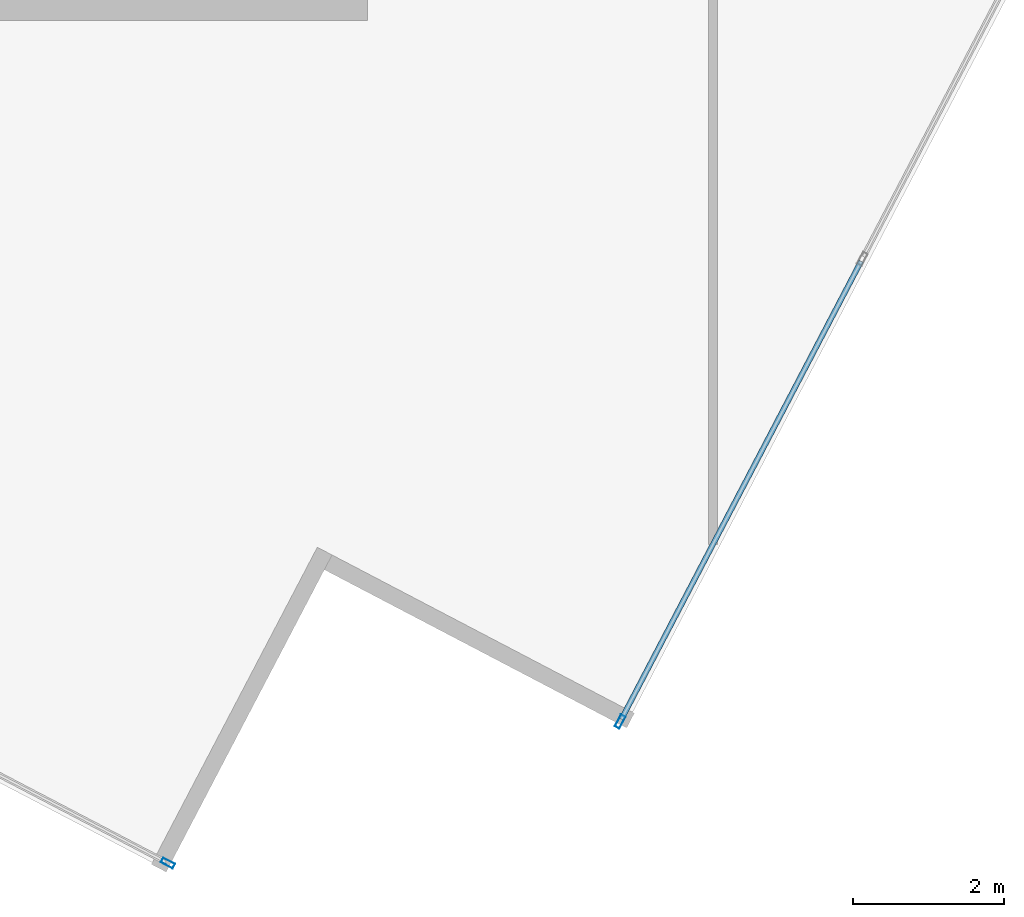
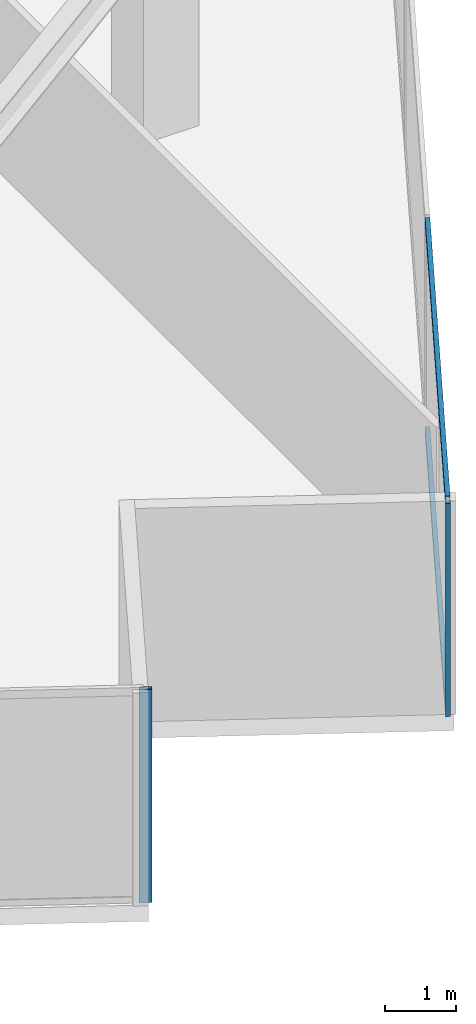
# One storey, part 9 of 27: 4 members, 2 elements without a shape of their own.
"""IFC4 building model written with IfcOpenShell, lengths in metres."""

from ifc_helpers import new_model, si_unit, direction, frame, origin, origin_2d, place, context, subcontext, project, spatial, hollow_rectangle, extrude, source, transform, mapped, material, material_profile, profile_set, type_object, type_shapes, element, aggregate, save


model = new_model("IFC4")

# Units and contexts
model_context = context("Model", 3, precision=1e-05, world=origin(), true_north=direction((0.0, 1.0)))
body_context = subcontext(model_context, "Body", "Model", "MODEL_VIEW")
ifc_project = project(units=[si_unit("LENGTHUNIT", "METRE"), si_unit("AREAUNIT", "SQUARE_METRE"), si_unit("VOLUMEUNIT", "CUBIC_METRE"), si_unit("PLANEANGLEUNIT", "RADIAN"), si_unit("MASSUNIT", "GRAM", prefix="KILO")], contexts=[model_context])

# Site, building, storey
site_placement = place(None, origin())
site = spatial("IfcSite", under=ifc_project, at=site_placement, CompositionType="ELEMENT")
building_placement = place(site_placement, origin())
building = spatial("IfcBuilding", under=site, at=building_placement, Name="Krantzveldt Concourse Tower", CompositionType="ELEMENT")
storey_placement = place(building_placement, frame((0.0, 0.0, 158.050048828125)))
storey = spatial("IfcBuildingStorey", under=building, at=storey_placement, Name="L38", CompositionType="ELEMENT", Elevation=158.050048828125)

# Curtain wall, member
ifc_material = material(Name="Anodised aluminium 6063-T6", Category="aluminium")
curtain_wall_type = type_object("IfcCurtainWallType", Name="CW3", PredefinedType="USERDEFINED", material=ifc_material)
curtain_wall_1_placement = place(storey_placement, origin())
curtain_wall_1 = element("IfcCurtainWall", 1, at=curtain_wall_1_placement, inside=storey, type_object=curtain_wall_type, Name="CW-L38-F04", ObjectType="UNITISED CURTAIN WALL", PredefinedType="USERDEFINED")
ifc_material_profile_1 = material_profile(ifc_material, hollow_rectangle(XDim=0.070068359375, YDim=0.179931640625, WallThickness=0.0048828125, at=origin_2d()), Name="Anodised aluminium 6063-T6", Category="aluminium")
ifc_profile_set_1 = profile_set([ifc_material_profile_1], Name="Anodised aluminium 6063-T6 - ALU-MULL 180x70x5")
member_type_1 = type_object("IfcMemberType", Name="CW-MUL-180", PredefinedType="MULLION", material=ifc_profile_set_1)
shared_shape_1 = source(origin(), body_context, "Body", "SweptSolid", [
    extrude(hollow_rectangle(XDim=0.070068359375, YDim=0.179931640625, WallThickness=0.0048828125, at=origin_2d()), origin(), (0.0, 0.0, 1.0), 3.669921875),
])
type_shapes(member_type_1, [shared_shape_1])
member_1_placement = place(storey_placement, frame((41.2724609375, -0.675537109375, 0.0), z_axis=(0.0, 0.0, 1.0), x_axis=(0.463682819502, 0.886001265743, 0.0)))
member_1 = element("IfcMember", 2, at=member_1_placement, type_object=member_type_1, Name="CW-Z34 mullion 6", PredefinedType="MULLION", context=body_context, shape_type="MappedRepresentation", body=[
    mapped(shared_shape_1, transform((0.0, 0.0, 0.0), x_axis=(1.0, 0.0, 0.0), y_axis=(0.0, 1.0, 0.0), z_axis=(0.0, 0.0, 1.0), scale=1.0)),
])
aggregate(curtain_wall_1, [member_1])

# Curtain wall, members
curtain_wall_2_placement = place(storey_placement, origin())
curtain_wall_2 = element("IfcCurtainWall", 3, at=curtain_wall_2_placement, inside=storey, type_object=curtain_wall_type, Name="CW-L38-F07", ObjectType="UNITISED CURTAIN WALL", PredefinedType="USERDEFINED")
member_2_placement = place(storey_placement, frame((47.271728515625, 1.20166015625, 0.0), z_axis=(0.0, 0.0, 1.0), x_axis=(-0.886001265743, 0.463682819502, 0.0)))
member_2 = element("IfcMember", 4, at=member_2_placement, type_object=member_type_1, Name="CW-Z34 mullion 1", PredefinedType="MULLION", context=body_context, shape_type="MappedRepresentation", body=[
    mapped(shared_shape_1, transform((0.0, 0.0, 0.0), x_axis=(1.0, 0.0, 0.0), y_axis=(0.0, 1.0, 0.0), z_axis=(0.0, 0.0, 1.0), scale=1.0)),
])
ifc_material_profile_2 = material_profile(ifc_material, hollow_rectangle(XDim=0.070068359375, YDim=0.139892578125, WallThickness=0.0048828125, at=origin_2d()), Name="Anodised aluminium 6063-T6", Category="aluminium")
ifc_profile_set_2 = profile_set([ifc_material_profile_2], Name="Anodised aluminium 6063-T6 - ALU-TRAN 140x70x5")
member_type_2 = type_object("IfcMemberType", Name="CW-TRN-150", PredefinedType="USERDEFINED", material=ifc_profile_set_2)
shared_shape_2 = source(origin(), body_context, "Body", "SweptSolid", [
    extrude(hollow_rectangle(XDim=0.070068359375, YDim=0.139892578125, WallThickness=0.0048828125, at=origin_2d()), origin(), (0.0, 0.0, 1.0), 6.85498046875),
])
type_shapes(member_type_2, [shared_shape_2])
member_3_placement = place(storey_placement, frame((47.2880859375, 1.232666015625, 0.034912109375), z_axis=(0.463676917957, 0.886004354252, 0.0), x_axis=(-0.886004354252, 0.463676917957, 0.0)))
member_3 = element("IfcMember", 5, at=member_3_placement, type_object=member_type_2, Name="CW-Z34 transom 1.1", ObjectType="TRANSOM", PredefinedType="USERDEFINED", context=body_context, shape_type="MappedRepresentation", body=[
    mapped(shared_shape_2, transform((0.0, 0.0, 0.0), x_axis=(1.0, 0.0, 0.0), y_axis=(0.0, 1.0, 0.0), z_axis=(0.0, 0.0, 1.0), scale=1.0)),
])
member_4_placement = place(storey_placement, frame((47.2880859375, 1.232666015625, 3.635009765625), z_axis=(0.463676917957, 0.886004354252, 0.0), x_axis=(-0.886004354252, 0.463676917957, 0.0)))
member_4 = element("IfcMember", 6, at=member_4_placement, type_object=member_type_2, Name="CW-Z34 transom 1.2", ObjectType="TRANSOM", PredefinedType="USERDEFINED", context=body_context, shape_type="MappedRepresentation", body=[
    mapped(shared_shape_2, transform((0.0, 0.0, 0.0), x_axis=(1.0, 0.0, 0.0), y_axis=(0.0, 1.0, 0.0), z_axis=(0.0, 0.0, 1.0), scale=1.0)),
])
aggregate(curtain_wall_2, [member_2, member_3, member_4])

save(model, "model.ifc")
